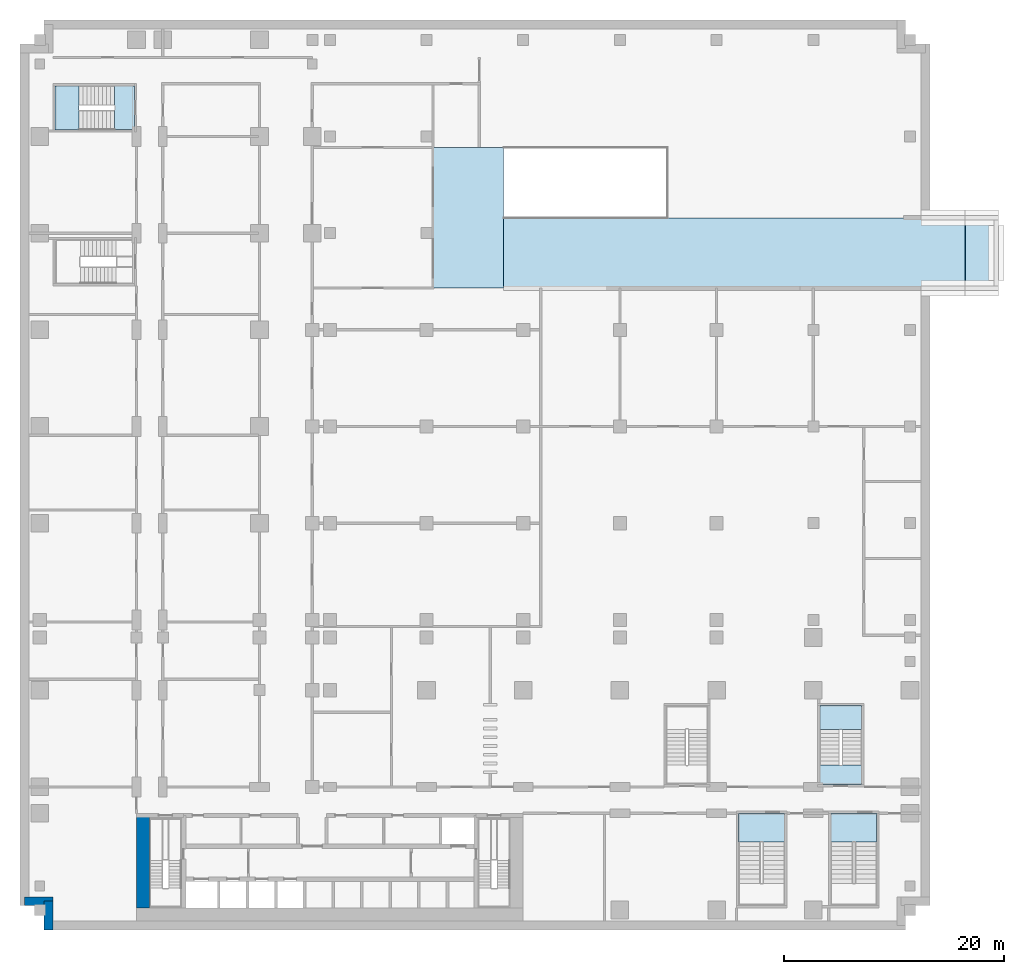
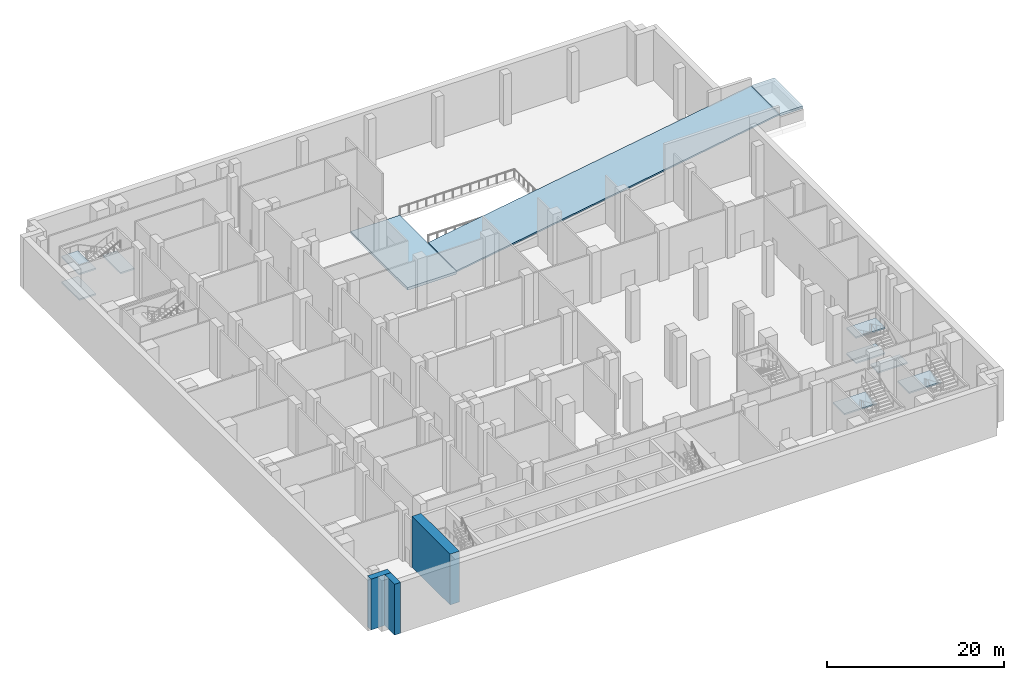
# One storey, part 2 of 15: 11 slabs, 3 walls, 4 elements without a shape of their own.
"""IFC4 building model written with IfcOpenShell, lengths in metres."""

from ifc_helpers import new_model, si_unit, direction, frame, frame_2d, origin, place, context, subcontext, project, spatial, polyline, rectangle, outline, extrude, material, layer, layer_set, type_object, element, aggregate, save


model = new_model("IFC4")

# Units and contexts
model_context = context("Model", 3, precision=1e-05, world=origin(), true_north=direction((0.0, 1.0)))
body_context = subcontext(model_context, "Body", "Model", "MODEL_VIEW")
ifc_project = project(units=[si_unit("LENGTHUNIT", "METRE"), si_unit("AREAUNIT", "SQUARE_METRE"), si_unit("VOLUMEUNIT", "CUBIC_METRE"), si_unit("PLANEANGLEUNIT", "RADIAN"), si_unit("MASSUNIT", "GRAM", prefix="KILO")], contexts=[model_context])

# Site, building, storey
site_placement = place(None, origin())
site = spatial("IfcSite", under=ifc_project, at=site_placement, CompositionType="ELEMENT")
building_placement = place(site_placement, origin())
building = spatial("IfcBuilding", under=site, at=building_placement, Name="Kemantara Hotel Tower", CompositionType="ELEMENT")
storey_placement = place(building_placement, frame((0.0, 0.0, -7.0)))
storey = spatial("IfcBuildingStorey", under=building, at=storey_placement, Name="B1", CompositionType="ELEMENT", Elevation=-7.0)

# Slabs
ifc_material_1 = material(Name="Concrete fc 40 MPa", Category="concrete")
ifc_layer_1 = layer(ifc_material_1, 0.35009765625)
ifc_layer_set_1 = layer_set([ifc_layer_1], Name="Concrete fc 40 MPa")
slab_type_1 = type_object("IfcSlabType", Name="BASE SLAB 350", PredefinedType="BASESLAB", material=ifc_layer_set_1)
slab_1_placement = place(storey_placement, frame((0.0, 0.0, 6.64990234375)))
element("IfcSlab", 1, at=slab_1_placement, inside=storey, type_object=slab_type_1, Name="RAMP ABUTMENT SLAB AT THE STREET", PredefinedType="BASESLAB", context=body_context, shape_type="SweptSolid", body=[
    extrude(outline(polyline([(88.256591796875, 57.60009765625), (88.256591796875, 64.0), (85.256591796875, 64.0), (85.256591796875, 57.60009765625), (88.256591796875, 57.60009765625)])), origin(), (0.0, 0.0, 1.0), 0.35009765625),
])
ifc_layer_2 = layer(ifc_material_1, 0.199951171875)
ifc_layer_set_2 = layer_set([ifc_layer_2], Name="Concrete fc 40 MPa")
slab_type_2 = type_object("IfcSlabType", Name="CAR RAMP SLAB 200", PredefinedType="FLOOR", material=ifc_layer_set_2)
slab_2_placement = place(storey_placement, frame((85.199951171875, 57.60009765625, 7.0), z_axis=(-0.16188134477, 0.0, 0.986810230093), x_axis=(-0.986810230093, 0.0, -0.16188134477)))
element("IfcSlab", 2, at=slab_2_placement, inside=storey, type_object=slab_type_2, Name="CAR RAMP SLAB", PredefinedType="FLOOR", context=body_context, shape_type="SweptSolid", body=[
    extrude(outline(polyline([(0.0, 0.0), (42.5613747397579, 0.0), (42.5613747397579, -6.39990234375), (0.0, -6.39990234375), (0.0, 0.0)])), origin(), (0.0, 0.0, -1.0), 0.199951171875),
])
ifc_layer_3 = layer(ifc_material_1, 0.35009765625)
ifc_layer_set_3 = layer_set([ifc_layer_3], Name="Concrete fc 40 MPa")
slab_type_3 = type_object("IfcSlabType", Name="RAMP LANDING SLAB 350", PredefinedType="LANDING", material=ifc_layer_set_3)
slab_3_placement = place(storey_placement, frame((0.0, 0.0, -0.35009765625)))
element("IfcSlab", 3, at=slab_3_placement, inside=storey, type_object=slab_type_3, Name="RAMP LANDING", PredefinedType="LANDING", context=body_context, shape_type="SweptSolid", body=[
    extrude(outline(polyline([(36.800048828125, 57.60009765625), (43.199951171875, 57.60009765625), (43.199951171875, 70.39990234375), (36.800048828125, 70.39990234375), (36.800048828125, 57.60009765625)])), origin(), (0.0, 0.0, 1.0), 0.35009765625),
])

# Stair, slabs
stair_type_1 = type_object("IfcStairType", Name="Stair 1800 wide 40 risers of 175 x 360 mm", PredefinedType="HALF_TURN_STAIR", material=ifc_material_1)
stair_1_placement = place(storey_placement, origin())
stair_1 = element("IfcStair", 4, at=stair_1_placement, inside=storey, type_object=stair_type_1, Name="B1 Exit stair ST5", PredefinedType="HALF_TURN_STAIR")
ifc_layer_4 = layer(ifc_material_1, 0.199951171875)
ifc_layer_set_4 = layer_set([ifc_layer_4], Name="Concrete fc 40 MPa")
slab_type_4 = type_object("IfcSlabType", Name="Stair landing 200 mm", PredefinedType="LANDING", material=ifc_layer_set_4)
slab_4_placement = place(storey_placement, frame((0.0, 0.0, 1.550048828125)))
slab_4 = element("IfcSlab", 5, at=slab_4_placement, type_object=slab_type_4, Name="ST5 landing 1", PredefinedType="LANDING", context=body_context, shape_type="SweptSolid", body=[
    extrude(outline(polyline([(75.800048828125, 17.43994140625), (75.800048828125, 19.60009765625), (72.0, 19.60009765625), (72.0, 17.43994140625), (75.800048828125, 17.43994140625)])), origin(), (0.0, 0.0, 1.0), 0.199951171875),
])
slab_5_placement = place(storey_placement, frame((0.0, 0.0, 3.300048828125)))
slab_5 = element("IfcSlab", 6, at=slab_5_placement, type_object=slab_type_4, Name="ST5 landing 2", PredefinedType="LANDING", context=body_context, shape_type="SweptSolid", body=[
    extrude(outline(polyline([(75.800048828125, 12.39990234375), (75.800048828125, 14.199951171875), (72.0, 14.199951171875), (72.0, 12.39990234375), (75.800048828125, 12.39990234375)])), origin(), (0.0, 0.0, 1.0), 0.199951171875),
])
slab_6_placement = place(storey_placement, frame((0.0, 0.0, 5.050048828125)))
slab_6 = element("IfcSlab", 7, at=slab_6_placement, type_object=slab_type_4, Name="ST5 landing 3", PredefinedType="LANDING", context=body_context, shape_type="SweptSolid", body=[
    extrude(outline(polyline([(75.800048828125, 17.43994140625), (75.800048828125, 19.60009765625), (72.0, 19.60009765625), (72.0, 17.43994140625), (75.800048828125, 17.43994140625)])), origin(), (0.0, 0.0, 1.0), 0.199951171875),
])
aggregate(stair_1, [slab_4, slab_5, slab_6])

stair_2_placement = place(storey_placement, origin())
stair_2 = element("IfcStair", 8, at=stair_2_placement, inside=storey, type_object=stair_type_1, Name="B1 Exit stair ST6", PredefinedType="HALF_TURN_STAIR")
slab_7_placement = place(storey_placement, frame((0.0, 0.0, 1.550048828125)))
slab_7 = element("IfcSlab", 9, at=slab_7_placement, type_object=slab_type_4, Name="ST6 landing 1", PredefinedType="LANDING", context=body_context, shape_type="SweptSolid", body=[
    extrude(outline(polyline([(4.56005859375, 76.0), (2.39990234375, 76.0), (2.39990234375, 72.0), (4.56005859375, 72.0), (4.56005859375, 76.0)])), origin(), (0.0, 0.0, 1.0), 0.199951171875),
])
slab_8_placement = place(storey_placement, frame((0.0, 0.0, 3.300048828125)))
slab_8 = element("IfcSlab", 10, at=slab_8_placement, type_object=slab_type_4, Name="ST6 landing 2", PredefinedType="LANDING", context=body_context, shape_type="SweptSolid", body=[
    extrude(outline(polyline([(9.60009765625, 76.0), (7.800048828125, 76.0), (7.800048828125, 72.0), (9.60009765625, 72.0), (9.60009765625, 76.0)])), origin(), (0.0, 0.0, 1.0), 0.199951171875),
])
slab_9_placement = place(storey_placement, frame((0.0, 0.0, 5.050048828125)))
slab_9 = element("IfcSlab", 11, at=slab_9_placement, type_object=slab_type_4, Name="ST6 landing 3", PredefinedType="LANDING", context=body_context, shape_type="SweptSolid", body=[
    extrude(outline(polyline([(4.56005859375, 76.0), (2.39990234375, 76.0), (2.39990234375, 72.0), (4.56005859375, 72.0), (4.56005859375, 76.0)])), origin(), (0.0, 0.0, 1.0), 0.199951171875),
])
aggregate(stair_2, [slab_7, slab_8, slab_9])

# Stair, slab
stair_type_2 = type_object("IfcStairType", Name="Stair 2000 wide 40 risers of 175 x 420 mm", PredefinedType="HALF_TURN_STAIR", material=ifc_material_1)
stair_3_placement = place(storey_placement, origin())
stair_3 = element("IfcStair", 12, at=stair_3_placement, inside=storey, type_object=stair_type_2, Name="B1 Stair PS4", PredefinedType="HALF_TURN_STAIR")
slab_10_placement = place(storey_placement, frame((0.0, 0.0, 3.300048828125)))
slab_10 = element("IfcSlab", 13, at=slab_10_placement, type_object=slab_type_4, Name="PS4 landing 2", PredefinedType="LANDING", context=body_context, shape_type="SweptSolid", body=[
    extrude(outline(polyline([(64.60009765625, 9.800048828125), (64.60009765625, 7.199951171875), (68.800048828125, 7.199951171875), (68.800048828125, 9.800048828125), (64.60009765625, 9.800048828125)])), origin(), (0.0, 0.0, 1.0), 0.199951171875),
])
aggregate(stair_3, [slab_10])

stair_4_placement = place(storey_placement, origin())
stair_4 = element("IfcStair", 14, at=stair_4_placement, inside=storey, type_object=stair_type_2, Name="B1 Stair PS5", PredefinedType="HALF_TURN_STAIR")
slab_11_placement = place(storey_placement, frame((0.0, 0.0, 3.300048828125)))
slab_11 = element("IfcSlab", 15, at=slab_11_placement, type_object=slab_type_4, Name="PS5 landing 2", PredefinedType="LANDING", context=body_context, shape_type="SweptSolid", body=[
    extrude(outline(polyline([(73.0, 9.800048828125), (73.0, 7.199951171875), (77.199951171875, 7.199951171875), (77.199951171875, 9.800048828125), (73.0, 9.800048828125)])), origin(), (0.0, 0.0, 1.0), 0.199951171875),
])
aggregate(stair_4, [slab_11])

# Walls
ifc_layer_5 = layer(ifc_material_1, 0.800048828125)
ifc_layer_set_5 = layer_set([ifc_layer_5], Name="Concrete fc 40 MPa")
wall_type_1 = type_object("IfcWallType", Name="BASEMENT PERIMETER WALL 800 FC40", PredefinedType="SHEAR", material=ifc_layer_set_5)
wall_1_placement = place(storey_placement, frame((1.800048828125, -0.800048828125, 0.0), z_axis=(0.0, 0.0, 1.0), x_axis=(0.0, 1.0, 0.0)))
element("IfcWall", 16, at=wall_1_placement, inside=storey, type_object=wall_type_1, Name="BASEMENT PERIMETER WALL B1 5", PredefinedType="SHEAR", context=body_context, shape_type="SweptSolid", body=[
    extrude(rectangle(XDim=2.60009765625, YDim=0.800048828125, at=frame_2d((1.300048828125, 0.0))), origin(), (0.0, 0.0, 1.0), 7.0),
])
wall_2_placement = place(storey_placement, frame((2.199951171875, 1.800048828125, 0.0), z_axis=(0.0, 0.0, 1.0), x_axis=(-1.0, 0.0, 0.0)))
element("IfcWall", 17, at=wall_2_placement, inside=storey, type_object=wall_type_1, Name="BASEMENT PERIMETER WALL B1 6", PredefinedType="SHEAR", context=body_context, shape_type="SweptSolid", body=[
    extrude(rectangle(XDim=2.599853515625, YDim=0.800048828125, at=frame_2d((1.2998046875, 0.0))), origin(), (0.0, 0.0, 1.0), 7.0),
])
ifc_material_2 = material(Name="Concrete fc 70 MPa", Category="concrete")
ifc_layer_6 = layer(ifc_material_2, 1.199951171875)
ifc_layer_set_6 = layer_set([ifc_layer_6], Name="Concrete fc 70 MPa")
wall_type_2 = type_object("IfcWallType", Name="CORE WALL 1200 FC70", PredefinedType="SHEAR", material=ifc_layer_set_6)
wall_3_placement = place(storey_placement, frame((10.39990234375, 1.199951171875, 0.0), z_axis=(0.0, 0.0, 1.0), x_axis=(0.0, 1.0, 0.0)))
element("IfcWall", 18, at=wall_3_placement, inside=storey, type_object=wall_type_2, Name="CORE WALL CW-W", PredefinedType="SHEAR", context=body_context, shape_type="SweptSolid", body=[
    extrude(rectangle(XDim=8.60009765625, YDim=1.199951171875, at=frame_2d((4.300048828125, 0.0))), origin(), (0.0, 0.0, 1.0), 7.0),
])

save(model, "model.ifc")
